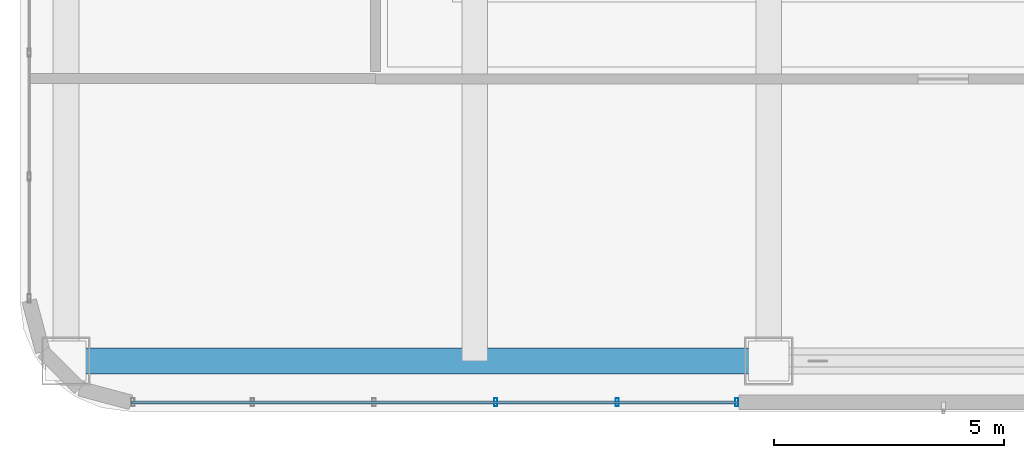
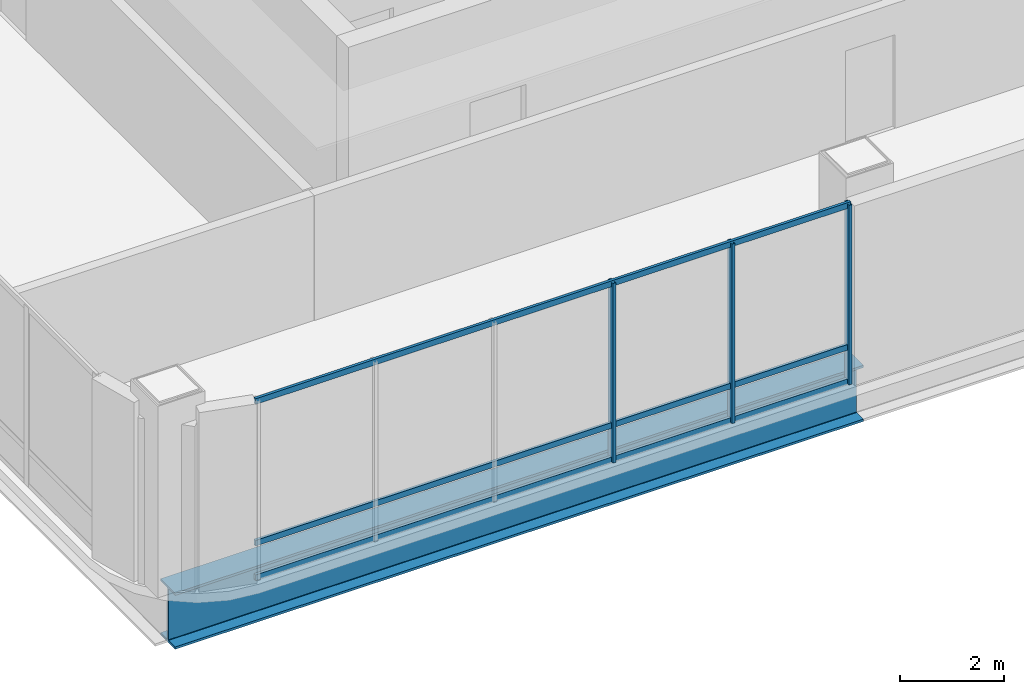
# One storey, part 3 of 33: 6 members, 1 beam, 1 element without a shape of its own.
"""IFC4 building model written with IfcOpenShell, lengths in metres."""

from ifc_helpers import new_model, si_unit, direction, frame, origin, origin_2d, place, context, subcontext, project, spatial, hollow_rectangle, i_section, extrude, material, material_profile, profile_set, type_object, element, aggregate, save


model = new_model("IFC4")

# Units and contexts
model_context = context("Model", 3, precision=1e-05, world=origin(), true_north=direction((0.0, 1.0)))
body_context = subcontext(model_context, "Body", "Model", "MODEL_VIEW")
ifc_project = project(units=[si_unit("LENGTHUNIT", "METRE"), si_unit("AREAUNIT", "SQUARE_METRE"), si_unit("VOLUMEUNIT", "CUBIC_METRE"), si_unit("PLANEANGLEUNIT", "RADIAN"), si_unit("MASSUNIT", "GRAM", prefix="KILO")], contexts=[model_context])

# Site, building, storey
site_placement = place(None, origin())
site = spatial("IfcSite", under=ifc_project, at=site_placement, CompositionType="ELEMENT")
building_placement = place(site_placement, origin())
building = spatial("IfcBuilding", under=site, at=building_placement, Name="Punatoya Terracotta Tower", CompositionType="ELEMENT")
storey_placement = place(building_placement, frame((0.0, 0.0, 348.300048828125)))
storey = spatial("IfcBuildingStorey", under=building, at=storey_placement, Name="L82", CompositionType="ELEMENT", Elevation=348.300048828125)

# Beam
ifc_material_1 = material(Name="Steel S460", Category="steel")
ifc_material_profile_1 = material_profile(ifc_material_1, i_section(OverallWidth=0.56005859375, OverallDepth=1.320068359375, WebThickness=0.035888671875, FlangeThickness=0.054931640625, FilletRadius=0.01806640625, at=origin_2d()))
ifc_profile_set_1 = profile_set([ifc_material_profile_1], Name="Steel S460")
beam_type = type_object("IfcBeamType", Name="BM-TG-BLK", PredefinedType="BEAM", material=ifc_profile_set_1)
beam_placement = place(storey_placement, frame((-19.10009765625, -17.5, -0.880126953125), z_axis=(1.0, 0.0, 0.0), x_axis=(0.0, 1.0, 0.0)))
element("IfcBeam", 1, at=beam_placement, inside=storey, type_object=beam_type, Name="BM-L82-RG-S1", PredefinedType="BEAM", context=body_context, shape_type="SweptSolid", body=[
    extrude(i_section(OverallWidth=0.56005859375, OverallDepth=1.320068359375, WebThickness=0.035888671875, FlangeThickness=0.054931640625, FilletRadius=0.01806640625, at=origin_2d()), origin(), (0.0, 0.0, 1.0), 15.300048828125),
])

# Curtain wall, members
ifc_material_2 = material(Name="Aluminium 6063-T6 + Double Low-E Glass", Category="aluminium")
curtain_wall_type = type_object("IfcCurtainWallType", Name="CW-CRN", PredefinedType="NOTDEFINED", material=ifc_material_2)
curtain_wall_placement = place(storey_placement, origin())
curtain_wall = element("IfcCurtainWall", 2, at=curtain_wall_placement, inside=storey, type_object=curtain_wall_type, Name="L82 Curtain Wall CW-L82-S01-1", PredefinedType="NOTDEFINED")
ifc_material_3 = material(Name="Aluminium 6063-T6", Category="aluminium")
ifc_material_profile_2 = material_profile(ifc_material_3, hollow_rectangle(XDim=0.070068359375, YDim=0.179931640625, WallThickness=0.00390625, at=origin_2d()))
ifc_profile_set_2 = profile_set([ifc_material_profile_2], Name="Aluminium 6063-T6")
member_type_1 = type_object("IfcMemberType", Name="CW-MUL-M3", PredefinedType="MULLION", material=ifc_profile_set_2)
member_1_placement = place(storey_placement, frame((-9.744873046875, -18.39990234375, 0.0), z_axis=(0.0, 0.0, 1.0), x_axis=(1.0, 0.0, 0.0)))
member_1 = element("IfcMember", 3, at=member_1_placement, type_object=member_type_1, Name="CW-L82-S01-1 Mullion 03", PredefinedType="MULLION", context=body_context, shape_type="SweptSolid", body=[
    extrude(hollow_rectangle(XDim=0.070068359375, YDim=0.179931640625, WallThickness=0.00390625, at=origin_2d()), origin(), (0.0, 0.0, 1.0), 4.219970703125),
])
member_2_placement = place(storey_placement, frame((-7.097412109375, -18.39990234375, 0.0), z_axis=(0.0, 0.0, 1.0), x_axis=(1.0, 0.0, 0.0)))
member_2 = element("IfcMember", 4, at=member_2_placement, type_object=member_type_1, Name="CW-L82-S01-1 Mullion 04", PredefinedType="MULLION", context=body_context, shape_type="SweptSolid", body=[
    extrude(hollow_rectangle(XDim=0.070068359375, YDim=0.179931640625, WallThickness=0.00390625, at=origin_2d()), origin(), (0.0, 0.0, 1.0), 4.219970703125),
])
member_3_placement = place(storey_placement, frame((-4.4951171875, -18.39990234375, 0.0), z_axis=(0.0, 0.0, 1.0), x_axis=(1.0, 0.0, 0.0)))
member_3 = element("IfcMember", 5, at=member_3_placement, type_object=member_type_1, Name="CW-L82-S01-1 Mullion 05", PredefinedType="MULLION", context=body_context, shape_type="SweptSolid", body=[
    extrude(hollow_rectangle(XDim=0.070068359375, YDim=0.179931640625, WallThickness=0.00390625, at=origin_2d()), origin(), (0.0, 0.0, 1.0), 4.219970703125),
])
ifc_material_profile_3 = material_profile(ifc_material_3, hollow_rectangle(XDim=0.06201171875, YDim=0.135009765625, WallThickness=0.00390625, at=origin_2d()))
ifc_profile_set_3 = profile_set([ifc_material_profile_3], Name="Aluminium 6063-T6")
member_type_2 = type_object("IfcMemberType", Name="CW-TRN-CRN", PredefinedType="USERDEFINED", material=ifc_profile_set_3)
member_4_placement = place(storey_placement, frame((-17.68701171875, -18.39990234375, 0.0400390625), z_axis=(1.0, 0.0, 0.0), x_axis=(0.0, 1.0, 0.0)))
member_4 = element("IfcMember", 6, at=member_4_placement, type_object=member_type_2, Name="CW-L82-S01-1 Transom 1", ObjectType="TRANSOM", PredefinedType="USERDEFINED", context=body_context, shape_type="SweptSolid", body=[
    extrude(hollow_rectangle(XDim=0.06201171875, YDim=0.135009765625, WallThickness=0.00390625, at=origin_2d()), origin(), (0.0, 0.0, 1.0), 13.237060546875),
])
member_5_placement = place(storey_placement, frame((-17.68701171875, -18.39990234375, 0.849853515625), z_axis=(1.0, 0.0, 0.0), x_axis=(0.0, 1.0, 0.0)))
member_5 = element("IfcMember", 7, at=member_5_placement, type_object=member_type_2, Name="CW-L82-S01-1 Transom 2", ObjectType="TRANSOM", PredefinedType="USERDEFINED", context=body_context, shape_type="SweptSolid", body=[
    extrude(hollow_rectangle(XDim=0.06201171875, YDim=0.135009765625, WallThickness=0.00390625, at=origin_2d()), origin(), (0.0, 0.0, 1.0), 13.237060546875),
])
member_6_placement = place(storey_placement, frame((-17.68701171875, -18.39990234375, 4.179931640625), z_axis=(1.0, 0.0, 0.0), x_axis=(0.0, 1.0, 0.0)))
member_6 = element("IfcMember", 8, at=member_6_placement, type_object=member_type_2, Name="CW-L82-S01-1 Transom 3", ObjectType="TRANSOM", PredefinedType="USERDEFINED", context=body_context, shape_type="SweptSolid", body=[
    extrude(hollow_rectangle(XDim=0.06201171875, YDim=0.135009765625, WallThickness=0.00390625, at=origin_2d()), origin(), (0.0, 0.0, 1.0), 13.237060546875),
])
aggregate(curtain_wall, [member_1, member_2, member_3, member_4, member_5, member_6])

save(model, "model.ifc")
